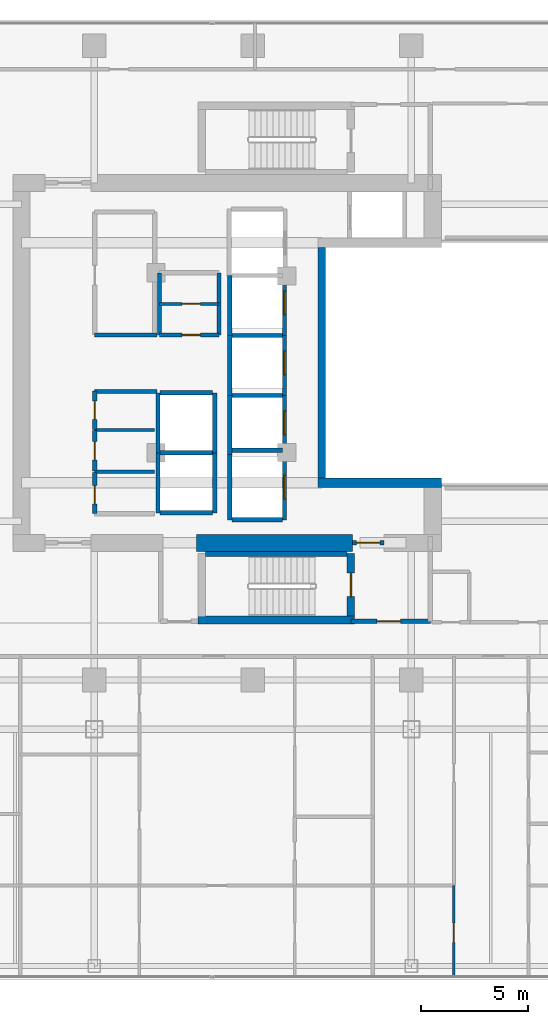
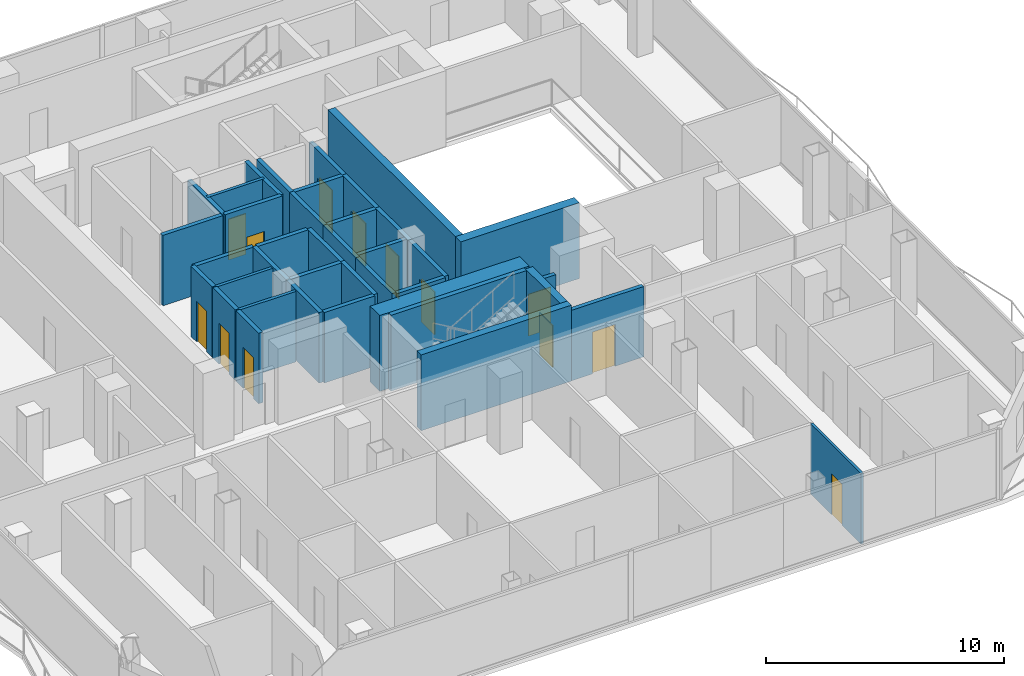
# One storey, part 18 of 24: 39 walls, 13 doors, 13 openings.
"""IFC4 building model written with IfcOpenShell, lengths in metres."""

from ifc_helpers import new_model, si_unit, direction, frame, frame_2d, origin, place, context, subcontext, project, spatial, rectangle, extrude, material, layer, layer_set, type_object, element, fill, save


model = new_model("IFC4")

# Units and contexts
model_context = context("Model", 3, precision=1e-05, world=origin(), true_north=direction((0.0, 1.0)))
body_context = subcontext(model_context, "Body", "Model", "MODEL_VIEW")
ifc_project = project(units=[si_unit("LENGTHUNIT", "METRE"), si_unit("AREAUNIT", "SQUARE_METRE"), si_unit("VOLUMEUNIT", "CUBIC_METRE"), si_unit("PLANEANGLEUNIT", "RADIAN"), si_unit("MASSUNIT", "GRAM", prefix="KILO")], contexts=[model_context])

# Site, building, storey
site_placement = place(None, origin())
site = spatial("IfcSite", under=ifc_project, at=site_placement, CompositionType="ELEMENT")
building_placement = place(site_placement, origin())
building = spatial("IfcBuilding", under=site, at=building_placement, Name="Khorvyn Point Tower", CompositionType="ELEMENT")
storey_placement = place(building_placement, frame((0.0, 0.0, 215.699951171875)))
storey = spatial("IfcBuildingStorey", under=building, at=storey_placement, Name="L53", CompositionType="ELEMENT", Elevation=215.699951171875)

# Wall
ifc_material_1 = material(Name="Concrete C40/50", Category="concrete")
ifc_layer_1 = layer(ifc_material_1, 0.449951171875)
ifc_layer_set_1 = layer_set([ifc_layer_1], Name="Concrete C40/50 Core Shear Wall 450")
wall_type_1 = type_object("IfcWallType", Name="Concrete C40/50 Core Shear Wall 450", PredefinedType="SHEAR", material=ifc_layer_set_1)
wall_1_placement = place(storey_placement, frame((3.044921875, -5.60009765625, 0.0), z_axis=(0.0, 0.0, 1.0), x_axis=(1.0, 0.0, 0.0)))
element("IfcWall", 1, at=wall_1_placement, inside=storey, type_object=wall_type_1, Name="Wall", PredefinedType="SHEAR", context=body_context, shape_type="SweptSolid", body=[
    extrude(rectangle(XDim=5.755126953125, YDim=0.449951171875, at=frame_2d((2.87744140625, 0.0))), origin(), (0.0, 0.0, 1.0), 3.900146484375),
])

# Wall, opening, door
ifc_layer_2 = layer(ifc_material_1, 0.199951171875)
ifc_layer_set_2 = layer_set([ifc_layer_2], Name="Concrete C40/50 Fire-Lobby Compartment Wall 200")
wall_type_2 = type_object("IfcWallType", Name="Concrete C40/50 Fire-Lobby Compartment Wall 200", PredefinedType="SOLIDWALL", material=ifc_layer_set_2)
wall_2_placement = place(storey_placement, frame((4.580078125, -12.06005859375, 0.0), z_axis=(0.0, 0.0, 1.0), x_axis=(1.0, 0.0, 0.0)))
wall_2 = element("IfcWall", 2, at=wall_2_placement, inside=storey, type_object=wall_type_2, Name="Wall", PredefinedType="SOLIDWALL", context=body_context, shape_type="SweptSolid", body=[
    extrude(rectangle(XDim=3.699951171875, YDim=0.199951171875, at=frame_2d((1.85009765625, 0.0))), origin(), (0.0, 0.0, 1.0), 3.6201171875),
])
opening_1_placement = place(wall_2_placement, frame((1.21240234375, 0.0, 0.0)))
opening_1 = element("IfcOpeningElement", 3, at=opening_1_placement, cuts=wall_2, Name="Opening ID-FL90", PredefinedType="OPENING", context=body_context, shape_type="SweptSolid", body=[
    extrude(rectangle(XDim=1.10009765625, YDim=2.14990234375, at=frame_2d((0.550048828125, 1.074951171875))), frame((0.0, 0.10986328125, 0.0), z_axis=(0.0, -1.0, 0.0), x_axis=(1.0, 0.0, 0.0)), (0.0, 0.0, 1.0), 0.219970703125),
])
ifc_material_2 = material(Name="Galvanised powder-coated steel", Category="steel")
door_type_1 = type_object("IfcDoorType", Name="Fire-Rated Steel Lobby and Stair Door 1100x2150", OperationType="NOTDEFINED", PredefinedType="DOOR", material=ifc_material_2)
door_1_placement = place(opening_1_placement, origin())
door_1 = element("IfcDoor", 4, at=door_1_placement, inside=storey, type_object=door_type_1, Name="Door", OperationType="SINGLE_SWING_LEFT", OverallHeight=2.14990234375, OverallWidth=1.10009765625, PredefinedType="DOOR", context=body_context, shape_type="SweptSolid", body=[
    extrude(rectangle(XDim=1.10009765625, YDim=2.14990234375, at=frame_2d((0.550048828125, 1.074951171875))), frame((0.0, 0.02490234375, 0.0), z_axis=(0.0, -1.0, 0.0), x_axis=(1.0, 0.0, 0.0)), (0.0, 0.0, 1.0), 0.050048828125),
])
fill(opening_1, door_1)

wall_3_placement = place(storey_placement, frame((4.64990234375, -8.39990234375, 0.0), z_axis=(0.0, 0.0, 1.0), x_axis=(1.0, 0.0, 0.0)))
wall_3 = element("IfcWall", 5, at=wall_3_placement, inside=storey, type_object=wall_type_2, Name="Wall", PredefinedType="SOLIDWALL", context=body_context, shape_type="SweptSolid", body=[
    extrude(rectangle(XDim=1.47021484375, YDim=0.199951171875, at=frame_2d((0.735107421875, 0.0))), origin(), (0.0, 0.0, 1.0), 2.760009765625),
])
opening_2_placement = place(wall_3_placement, frame((0.18505859375, 0.0, 0.0)))
opening_2 = element("IfcOpeningElement", 6, at=opening_2_placement, cuts=wall_3, Name="Opening ID-FL90", PredefinedType="OPENING", context=body_context, shape_type="SweptSolid", body=[
    extrude(rectangle(XDim=1.10009765625, YDim=2.14990234375, at=frame_2d((0.550048828125, 1.074951171875))), frame((0.0, 0.10986328125, 0.0), z_axis=(0.0, -1.0, 0.0), x_axis=(1.0, 0.0, 0.0)), (0.0, 0.0, 1.0), 0.219970703125),
])
door_2_placement = place(opening_2_placement, origin())
door_2 = element("IfcDoor", 7, at=door_2_placement, inside=storey, type_object=door_type_1, Name="Door", OperationType="SINGLE_SWING_RIGHT", OverallHeight=2.14990234375, OverallWidth=1.10009765625, PredefinedType="DOOR", context=body_context, shape_type="SweptSolid", body=[
    extrude(rectangle(XDim=1.10009765625, YDim=2.14990234375, at=frame_2d((0.550048828125, 1.074951171875))), frame((0.0, 0.02490234375, 0.0), z_axis=(0.0, -1.0, 0.0), x_axis=(1.0, 0.0, 0.0)), (0.0, 0.0, 1.0), 0.050048828125),
])
fill(opening_2, door_2)

wall_4_placement = place(storey_placement, frame((-7.3798828125, -7.0400390625, 0.0), z_axis=(0.0, 0.0, 1.0), x_axis=(0.0, 1.0, 0.0)))
wall_4 = element("IfcWall", 8, at=wall_4_placement, inside=storey, type_object=wall_type_2, Name="Wall", PredefinedType="SOLIDWALL", context=body_context, shape_type="SweptSolid", body=[
    extrude(rectangle(XDim=1.929931640625, YDim=0.199951171875, at=frame_2d((0.96484375, 0.0))), origin(), (0.0, 0.0, 1.0), 3.6201171875),
])
opening_3_placement = place(wall_4_placement, frame((0.464111328125, 0.0, 0.0)))
opening_3 = element("IfcOpeningElement", 9, at=opening_3_placement, cuts=wall_4, Name="Opening ID-WC85", PredefinedType="OPENING", context=body_context, shape_type="SweptSolid", body=[
    extrude(rectangle(XDim=0.85009765625, YDim=2.10009765625, at=frame_2d((0.425048828125, 1.050048828125))), frame((0.0, 0.10986328125, 0.0), z_axis=(0.0, -1.0, 0.0), x_axis=(1.0, 0.0, 0.0)), (0.0, 0.0, 1.0), 0.219970703125),
])
ifc_material_3 = material(Name="High-pressure laminate on moisture-resistant core", Category="wood")
door_type_2 = type_object("IfcDoorType", Name="Moisture-Resistant Accessible Washroom Door 850x2100", OperationType="NOTDEFINED", PredefinedType="DOOR", material=ifc_material_3)
door_3_placement = place(opening_3_placement, origin())
door_3 = element("IfcDoor", 10, at=door_3_placement, inside=storey, type_object=door_type_2, Name="Door", OperationType="SINGLE_SWING_LEFT", OverallHeight=2.10009765625, OverallWidth=0.85009765625, PredefinedType="DOOR", context=body_context, shape_type="SweptSolid", body=[
    extrude(rectangle(XDim=0.85009765625, YDim=2.10009765625, at=frame_2d((0.425048828125, 1.050048828125))), frame((0.0, 0.02490234375, 0.0), z_axis=(0.0, -1.0, 0.0), x_axis=(1.0, 0.0, 0.0)), (0.0, 0.0, 1.0), 0.050048828125),
])
fill(opening_3, door_3)

wall_5_placement = place(storey_placement, frame((-7.3798828125, -5.050048828125, 0.0), z_axis=(0.0, 0.0, 1.0), x_axis=(0.0, 1.0, 0.0)))
wall_5 = element("IfcWall", 11, at=wall_5_placement, inside=storey, type_object=wall_type_2, Name="Wall", PredefinedType="SOLIDWALL", context=body_context, shape_type="SweptSolid", body=[
    extrude(rectangle(XDim=1.89013671875, YDim=0.199951171875, at=frame_2d((0.945068359375, 0.0))), origin(), (0.0, 0.0, 1.0), 3.6201171875),
])
opening_4_placement = place(wall_5_placement, frame((0.52001953125, 0.0, 0.0)))
opening_4 = element("IfcOpeningElement", 12, at=opening_4_placement, cuts=wall_5, Name="Opening ID-WC85", PredefinedType="OPENING", context=body_context, shape_type="SweptSolid", body=[
    extrude(rectangle(XDim=0.85009765625, YDim=2.10009765625, at=frame_2d((0.425048828125, 1.050048828125))), frame((0.0, 0.10986328125, 0.0), z_axis=(0.0, -1.0, 0.0), x_axis=(1.0, 0.0, 0.0)), (0.0, 0.0, 1.0), 0.219970703125),
])
door_4_placement = place(opening_4_placement, origin())
door_4 = element("IfcDoor", 13, at=door_4_placement, inside=storey, type_object=door_type_2, Name="Door", OperationType="SINGLE_SWING_RIGHT", OverallHeight=2.10009765625, OverallWidth=0.85009765625, PredefinedType="DOOR", context=body_context, shape_type="SweptSolid", body=[
    extrude(rectangle(XDim=0.85009765625, YDim=2.10009765625, at=frame_2d((0.425048828125, 1.050048828125))), frame((0.0, 0.02490234375, 0.0), z_axis=(0.0, -1.0, 0.0), x_axis=(1.0, 0.0, 0.0)), (0.0, 0.0, 1.0), 0.050048828125),
])
fill(opening_4, door_4)

wall_6_placement = place(storey_placement, frame((-7.3798828125, -3.10009765625, 0.0), z_axis=(0.0, 0.0, 1.0), x_axis=(0.0, 1.0, 0.0)))
wall_6 = element("IfcWall", 14, at=wall_6_placement, inside=storey, type_object=wall_type_2, Name="Wall", PredefinedType="SOLIDWALL", context=body_context, shape_type="SweptSolid", body=[
    extrude(rectangle(XDim=1.780029296875, YDim=0.199951171875, at=frame_2d((0.89013671875, 0.0))), origin(), (0.0, 0.0, 1.0), 3.6201171875),
])
opening_5_placement = place(wall_6_placement, frame((0.465087890625, 0.0, 0.0)))
opening_5 = element("IfcOpeningElement", 15, at=opening_5_placement, cuts=wall_6, Name="Opening ID-WC85", PredefinedType="OPENING", context=body_context, shape_type="SweptSolid", body=[
    extrude(rectangle(XDim=0.85009765625, YDim=2.10009765625, at=frame_2d((0.425048828125, 1.050048828125))), frame((0.0, 0.10986328125, 0.0), z_axis=(0.0, -1.0, 0.0), x_axis=(1.0, 0.0, 0.0)), (0.0, 0.0, 1.0), 0.219970703125),
])
door_5_placement = place(opening_5_placement, origin())
door_5 = element("IfcDoor", 16, at=door_5_placement, inside=storey, type_object=door_type_2, Name="Door", OperationType="SINGLE_SWING_LEFT", OverallHeight=2.10009765625, OverallWidth=0.85009765625, PredefinedType="DOOR", context=body_context, shape_type="SweptSolid", body=[
    extrude(rectangle(XDim=0.85009765625, YDim=2.10009765625, at=frame_2d((0.425048828125, 1.050048828125))), frame((0.0, 0.02490234375, 0.0), z_axis=(0.0, -1.0, 0.0), x_axis=(1.0, 0.0, 0.0)), (0.0, 0.0, 1.0), 0.050048828125),
])
fill(opening_5, door_5)

wall_7_placement = place(storey_placement, frame((-4.35009765625, 1.300048828125, 0.0), z_axis=(0.0, 0.0, 1.0), x_axis=(1.0, 0.0, 0.0)))
wall_7 = element("IfcWall", 17, at=wall_7_placement, inside=storey, type_object=wall_type_2, Name="Wall", PredefinedType="SOLIDWALL", context=body_context, shape_type="SweptSolid", body=[
    extrude(rectangle(XDim=2.77001953125, YDim=0.199951171875, at=frame_2d((1.385009765625, 0.0))), origin(), (0.0, 0.0, 1.0), 3.6201171875),
])
opening_6_placement = place(wall_7_placement, frame((1.048828125, 0.0, 0.0)))
opening_6 = element("IfcOpeningElement", 18, at=opening_6_placement, cuts=wall_7, Name="Opening ID-WC85", PredefinedType="OPENING", context=body_context, shape_type="SweptSolid", body=[
    extrude(rectangle(XDim=0.85009765625, YDim=2.10009765625, at=frame_2d((0.425048828125, 1.050048828125))), frame((0.0, 0.10986328125, 0.0), z_axis=(0.0, -1.0, 0.0), x_axis=(1.0, 0.0, 0.0)), (0.0, 0.0, 1.0), 0.219970703125),
])
door_6_placement = place(opening_6_placement, origin())
door_6 = element("IfcDoor", 19, at=door_6_placement, inside=storey, type_object=door_type_2, Name="Door", OperationType="SINGLE_SWING_LEFT", OverallHeight=2.10009765625, OverallWidth=0.85009765625, PredefinedType="DOOR", context=body_context, shape_type="SweptSolid", body=[
    extrude(rectangle(XDim=0.85009765625, YDim=2.10009765625, at=frame_2d((0.425048828125, 1.050048828125))), frame((0.0, 0.02490234375, 0.0), z_axis=(0.0, -1.0, 0.0), x_axis=(1.0, 0.0, 0.0)), (0.0, 0.0, 1.0), 0.050048828125),
])
fill(opening_6, door_6)

# Walls
for number, where, z_axis, x_axis, name in (
    (20, (-7.3798828125, -1.340087890625, 0.0), (0.0, 0.0, 1.0), (1.0, 0.0, 0.0), "Wall"),
    (21, (-7.3798828125, 1.300048828125, 0.0), (0.0, 0.0, 1.0), (1.0, 0.0, 0.0), "Wall"),
):
    element("IfcWall", number, at=place(storey_placement, frame(where, z_axis=z_axis, x_axis=x_axis)), inside=storey, type_object=wall_type_2, Name=name, PredefinedType="SOLIDWALL", context=body_context, shape_type="SweptSolid", body=[
        extrude(rectangle(XDim=2.909912109375, YDim=0.199951171875, at=frame_2d((1.455078125, 0.0))), origin(), (0.0, 0.0, 1.0), 3.6201171875),
    ])
for number, where, z_axis, x_axis, name in (
    (22, (-4.35009765625, 1.300048828125, 0.0), (0.0, 0.0, 1.0), (0.0, 1.0, 0.0), "Wall"),
    (23, (-1.580078125, 1.300048828125, 0.0), (0.0, 0.0, 1.0), (0.0, 1.0, 0.0), "Wall"),
):
    element("IfcWall", number, at=place(storey_placement, frame(where, z_axis=z_axis, x_axis=x_axis)), inside=storey, type_object=wall_type_2, Name=name, PredefinedType="SOLIDWALL", context=body_context, shape_type="SweptSolid", body=[
        extrude(rectangle(XDim=2.89990234375, YDim=0.199951171875, at=frame_2d((1.449951171875, 0.0))), origin(), (0.0, 0.0, 1.0), 3.6201171875),
    ])
ifc_layer_3 = layer(ifc_material_1, 0.25)
ifc_layer_set_3 = layer_set([ifc_layer_3], Name="Concrete C40/50 Stair Inner Cheek Structural Wall 250")
wall_type_3 = type_object("IfcWallType", Name="Concrete C40/50 Stair Inner Cheek Structural Wall 250", PredefinedType="SHEAR", material=ifc_layer_set_3)
wall_8_placement = place(storey_placement, frame((-2.199951171875, -8.91259765625, 0.0), z_axis=(0.0, 0.0, 1.0), x_axis=(1.0, 0.0, 0.0)))
element("IfcWall", 24, at=wall_8_placement, inside=storey, type_object=wall_type_3, Name="Wall", PredefinedType="SHEAR", context=body_context, shape_type="SweptSolid", body=[
    extrude(rectangle(XDim=6.599853515625, YDim=0.22509765625, at=frame_2d((3.2998046875, 0.0))), origin(), (0.0, 0.0, 1.0), 3.900146484375),
])
ifc_layer_4 = layer(ifc_material_1, 0.35009765625)
ifc_layer_set_4 = layer_set([ifc_layer_4], Name="Concrete C40/50 Stair Shaft Structural Wall 350")
wall_type_4 = type_object("IfcWallType", Name="Concrete C40/50 Stair Shaft Structural Wall 350", PredefinedType="SHEAR", material=ifc_layer_set_4)
wall_9_placement = place(storey_placement, frame((3.219970703125, -5.375, 0.0), z_axis=(0.0, 0.0, 1.0), x_axis=(0.0, 1.0, 0.0)))
element("IfcWall", 25, at=wall_9_placement, inside=storey, type_object=wall_type_4, Name="Wall", PredefinedType="SHEAR", context=body_context, shape_type="SweptSolid", body=[
    extrude(rectangle(XDim=10.75, YDim=0.35009765625, at=frame_2d((5.375, 0.0))), origin(), (0.0, 0.0, 1.0), 3.900146484375),
])
wall_10_placement = place(storey_placement, frame((-2.554931640625, -12.0, 0.0), z_axis=(0.0, 0.0, 1.0), x_axis=(1.0, 0.0, 0.0)))
element("IfcWall", 26, at=wall_10_placement, inside=storey, type_object=wall_type_4, Name="L53 ST-01 South Shaft Wall", PredefinedType="SHEAR", context=body_context, shape_type="SweptSolid", body=[
    extrude(rectangle(XDim=7.309814453125, YDim=0.35009765625, at=frame_2d((3.65478515625, 0.0))), origin(), (0.0, 0.0, 1.0), 3.900146484375),
])

# Wall, opening, door
wall_11_placement = place(storey_placement, frame((4.580078125, -8.89990234375, 0.0), z_axis=(0.0, 0.0, 1.0), x_axis=(0.0, -1.0, 0.0)))
wall_11 = element("IfcWall", 27, at=wall_11_placement, inside=storey, type_object=wall_type_4, Name="L53 ST-01 East Landing Door Wall", PredefinedType="SHEAR", context=body_context, shape_type="SweptSolid", body=[
    extrude(rectangle(XDim=2.925048828125, YDim=0.35009765625, at=frame_2d((1.46240234375, 0.0))), origin(), (0.0, 0.0, 1.0), 3.900146484375),
])
opening_7_placement = place(wall_11_placement, frame((0.91259765625, 0.0, 0.0)))
opening_7 = element("IfcOpeningElement", 28, at=opening_7_placement, cuts=wall_11, Name="Opening ID-FL90", PredefinedType="OPENING", context=body_context, shape_type="SweptSolid", body=[
    extrude(rectangle(XDim=1.10009765625, YDim=2.14990234375, at=frame_2d((0.550048828125, 1.074951171875))), frame((0.0, 0.18505859375, 0.0), z_axis=(0.0, -1.0, 0.0), x_axis=(1.0, 0.0, 0.0)), (0.0, 0.0, 1.0), 0.3701171875),
])
door_7_placement = place(opening_7_placement, origin())
door_7 = element("IfcDoor", 29, at=door_7_placement, inside=storey, type_object=door_type_1, Name="L53 ST-01 Smokeproof Landing Door", OperationType="SINGLE_SWING_LEFT", OverallHeight=2.14990234375, OverallWidth=1.10009765625, PredefinedType="DOOR", context=body_context, shape_type="SweptSolid", body=[
    extrude(rectangle(XDim=1.10009765625, YDim=2.14990234375, at=frame_2d((0.550048828125, 1.074951171875))), frame((0.0, 0.02490234375, 0.0), z_axis=(0.0, -1.0, 0.0), x_axis=(1.0, 0.0, 0.0)), (0.0, 0.0, 1.0), 0.050048828125),
])
fill(opening_7, door_7)

# Walls
ifc_layer_5 = layer(ifc_material_1, 0.199951171875)
ifc_layer_set_5 = layer_set([ifc_layer_5], Name="Concrete C40/50 Structural Hoistway and Stair Shaft Wall 200")
wall_type_5 = type_object("IfcWallType", Name="Concrete C40/50 Structural Hoistway and Stair Shaft Wall 200", PredefinedType="SHEAR", material=ifc_layer_set_5)
for number, where, z_axis, x_axis, name in (
    (30, (-4.425048828125, -7.0, 0.0), (0.0, 0.0, 1.0), (0.0, 1.0, 0.0), "Wall"),
    (31, (-1.77490234375, -7.0, 0.0), (0.0, 0.0, 1.0), (0.0, 1.0, 0.0), "Wall"),
):
    element("IfcWall", number, at=place(storey_placement, frame(where, z_axis=z_axis, x_axis=x_axis)), inside=storey, type_object=wall_type_5, Name=name, PredefinedType="SHEAR", context=body_context, shape_type="SweptSolid", body=[
        extrude(rectangle(XDim=2.800048828125, YDim=0.199951171875, at=frame_2d((1.39990234375, 0.0))), origin(), (0.0, 0.0, 1.0), 3.6201171875),
    ])
for number, where, z_axis, x_axis, name in (
    (32, (-4.324951171875, -7.0, 0.0), (0.0, 0.0, 1.0), (1.0, 0.0, 0.0), "Wall"),
    (33, (-4.324951171875, -4.199951171875, 0.0), (0.0, 0.0, 1.0), (1.0, 0.0, 0.0), "Wall"),
):
    element("IfcWall", number, at=place(storey_placement, frame(where, z_axis=z_axis, x_axis=x_axis)), inside=storey, type_object=wall_type_5, Name=name, PredefinedType="SHEAR", context=body_context, shape_type="SweptSolid", body=[
        extrude(rectangle(XDim=2.449951171875, YDim=0.199951171875, at=frame_2d((1.22509765625, 0.0))), origin(), (0.0, 0.0, 1.0), 3.6201171875),
    ])
for number, where, z_axis, x_axis, name in (
    (34, (-4.425048828125, -4.199951171875, 0.0), (0.0, 0.0, 1.0), (0.0, 1.0, 0.0), "Wall"),
    (35, (-1.77490234375, -4.199951171875, 0.0), (0.0, 0.0, 1.0), (0.0, 1.0, 0.0), "Wall"),
):
    element("IfcWall", number, at=place(storey_placement, frame(where, z_axis=z_axis, x_axis=x_axis)), inside=storey, type_object=wall_type_5, Name=name, PredefinedType="SHEAR", context=body_context, shape_type="SweptSolid", body=[
        extrude(rectangle(XDim=2.800048828125, YDim=0.199951171875, at=frame_2d((1.39990234375, 0.0))), origin(), (0.0, 0.0, 1.0), 3.6201171875),
    ])
wall_12_placement = place(storey_placement, frame((-4.324951171875, -1.39990234375, 0.0), z_axis=(0.0, 0.0, 1.0), x_axis=(1.0, 0.0, 0.0)))
element("IfcWall", 36, at=wall_12_placement, inside=storey, type_object=wall_type_5, Name="Wall", PredefinedType="SHEAR", context=body_context, shape_type="SweptSolid", body=[
    extrude(rectangle(XDim=2.449951171875, YDim=0.199951171875, at=frame_2d((1.22509765625, 0.0))), origin(), (0.0, 0.0, 1.0), 3.6201171875),
])
wall_13_placement = place(storey_placement, frame((-1.074951171875, -4.27490234375, 0.0), z_axis=(0.0, 0.0, 1.0), x_axis=(0.0, 1.0, 0.0)))
element("IfcWall", 37, at=wall_13_placement, inside=storey, type_object=wall_type_5, Name="Wall", PredefinedType="SHEAR", context=body_context, shape_type="SweptSolid", body=[
    extrude(rectangle(XDim=2.75, YDim=0.199951171875, at=frame_2d((1.375, 0.0))), origin(), (0.0, 0.0, 1.0), 3.6201171875),
])

# Wall, opening, door
wall_14_placement = place(storey_placement, frame((1.47509765625, -4.27490234375, 0.0), z_axis=(0.0, 0.0, 1.0), x_axis=(0.0, 1.0, 0.0)))
wall_14 = element("IfcWall", 38, at=wall_14_placement, inside=storey, type_object=wall_type_5, Name="Wall", PredefinedType="SHEAR", context=body_context, shape_type="SweptSolid", body=[
    extrude(rectangle(XDim=2.75, YDim=0.199951171875, at=frame_2d((1.375, 0.0))), origin(), (0.0, 0.0, 1.0), 3.6201171875),
])
opening_8_placement = place(wall_14_placement, frame((0.925048828125, 0.0, 0.0)))
opening_8 = element("IfcOpeningElement", 39, at=opening_8_placement, cuts=wall_14, Name="Opening LD-1122", PredefinedType="OPENING", context=body_context, shape_type="SweptSolid", body=[
    extrude(rectangle(XDim=1.10009765625, YDim=2.199951171875, at=frame_2d((0.550048828125, 1.10009765625))), frame((0.0, 0.10986328125, 0.0), z_axis=(0.0, -1.0, 0.0), x_axis=(1.0, 0.0, 0.0)), (0.0, 0.0, 1.0), 0.219970703125),
])
ifc_material_4 = material(Name="Stainless steel 1.4301", Category="steel")
door_type_3 = type_object("IfcDoorType", Name="Stainless Steel Automatic Sliding Lift Landing Door 1100x2200", OperationType="SLIDING_TO_LEFT", PredefinedType="DOOR", material=ifc_material_4)
door_8_placement = place(opening_8_placement, origin())
door_8 = element("IfcDoor", 40, at=door_8_placement, inside=storey, type_object=door_type_3, Name="L53 RH-01 Sliding Lift Landing Door", OperationType="SLIDING_TO_LEFT", OverallHeight=2.199951171875, OverallWidth=1.10009765625, PredefinedType="DOOR", context=body_context, shape_type="SweptSolid", body=[
    extrude(rectangle(XDim=1.10009765625, YDim=2.199951171875, at=frame_2d((0.550048828125, 1.10009765625))), frame((0.0, 0.02490234375, 0.0), z_axis=(0.0, -1.0, 0.0), x_axis=(1.0, 0.0, 0.0)), (0.0, 0.0, 1.0), 0.050048828125),
])
fill(opening_8, door_8)

# Walls
for number, where, z_axis, x_axis, name in (
    (41, (-0.97509765625, -4.074951171875, 0.0), (0.0, 0.0, 1.0), (1.0, 0.0, 0.0), "Wall"),
    (42, (-0.97509765625, -1.52490234375, 0.0), (0.0, 0.0, 1.0), (1.0, 0.0, 0.0), "Wall"),
):
    element("IfcWall", number, at=place(storey_placement, frame(where, z_axis=z_axis, x_axis=x_axis)), inside=storey, type_object=wall_type_5, Name=name, PredefinedType="SHEAR", context=body_context, shape_type="SweptSolid", body=[
        extrude(rectangle(XDim=2.35009765625, YDim=0.199951171875, at=frame_2d((1.175048828125, 0.0))), origin(), (0.0, 0.0, 1.0), 3.6201171875),
    ])
wall_15_placement = place(storey_placement, frame((-1.074951171875, -1.52490234375, 0.0), z_axis=(0.0, 0.0, 1.0), x_axis=(0.0, 1.0, 0.0)))
element("IfcWall", 43, at=wall_15_placement, inside=storey, type_object=wall_type_5, Name="Wall", PredefinedType="SHEAR", context=body_context, shape_type="SweptSolid", body=[
    extrude(rectangle(XDim=2.7998046875, YDim=0.199951171875, at=frame_2d((1.39990234375, 0.0))), origin(), (0.0, 0.0, 1.0), 3.6201171875),
])

# Wall, opening, door
wall_16_placement = place(storey_placement, frame((1.47509765625, -1.52490234375, 0.0), z_axis=(0.0, 0.0, 1.0), x_axis=(0.0, 1.0, 0.0)))
wall_16 = element("IfcWall", 44, at=wall_16_placement, inside=storey, type_object=wall_type_5, Name="Wall", PredefinedType="SHEAR", context=body_context, shape_type="SweptSolid", body=[
    extrude(rectangle(XDim=2.7998046875, YDim=0.199951171875, at=frame_2d((1.39990234375, 0.0))), origin(), (0.0, 0.0, 1.0), 3.6201171875),
])
opening_9_placement = place(wall_16_placement, frame((0.97509765625, 0.0, 0.0)))
opening_9 = element("IfcOpeningElement", 45, at=opening_9_placement, cuts=wall_16, Name="Opening LD-1122", PredefinedType="OPENING", context=body_context, shape_type="SweptSolid", body=[
    extrude(rectangle(XDim=1.10009765625, YDim=2.199951171875, at=frame_2d((0.550048828125, 1.10009765625))), frame((0.0, 0.10986328125, 0.0), z_axis=(0.0, -1.0, 0.0), x_axis=(1.0, 0.0, 0.0)), (0.0, 0.0, 1.0), 0.219970703125),
])
door_9_placement = place(opening_9_placement, origin())
door_9 = element("IfcDoor", 46, at=door_9_placement, inside=storey, type_object=door_type_3, Name="L53 RH-02 Sliding Lift Landing Door", OperationType="SLIDING_TO_LEFT", OverallHeight=2.199951171875, OverallWidth=1.10009765625, PredefinedType="DOOR", context=body_context, shape_type="SweptSolid", body=[
    extrude(rectangle(XDim=1.10009765625, YDim=2.199951171875, at=frame_2d((0.550048828125, 1.10009765625))), frame((0.0, 0.02490234375, 0.0), z_axis=(0.0, -1.0, 0.0), x_axis=(1.0, 0.0, 0.0)), (0.0, 0.0, 1.0), 0.050048828125),
])
fill(opening_9, door_9)

# Walls
wall_17_placement = place(storey_placement, frame((-0.97509765625, 1.27490234375, 0.0), z_axis=(0.0, 0.0, 1.0), x_axis=(1.0, 0.0, 0.0)))
element("IfcWall", 47, at=wall_17_placement, inside=storey, type_object=wall_type_5, Name="Wall", PredefinedType="SHEAR", context=body_context, shape_type="SweptSolid", body=[
    extrude(rectangle(XDim=2.35009765625, YDim=0.199951171875, at=frame_2d((1.175048828125, 0.0))), origin(), (0.0, 0.0, 1.0), 3.6201171875),
])
wall_18_placement = place(storey_placement, frame((-1.074951171875, 1.27490234375, 0.0), z_axis=(0.0, 0.0, 1.0), x_axis=(0.0, 1.0, 0.0)))
element("IfcWall", 48, at=wall_18_placement, inside=storey, type_object=wall_type_5, Name="Wall", PredefinedType="SHEAR", context=body_context, shape_type="SweptSolid", body=[
    extrude(rectangle(XDim=2.800048828125, YDim=0.199951171875, at=frame_2d((1.39990234375, 0.0))), origin(), (0.0, 0.0, 1.0), 3.6201171875),
])

# Wall, opening, door
wall_19_placement = place(storey_placement, frame((1.47509765625, 1.27490234375, 0.0), z_axis=(0.0, 0.0, 1.0), x_axis=(0.0, 1.0, 0.0)))
wall_19 = element("IfcWall", 49, at=wall_19_placement, inside=storey, type_object=wall_type_5, Name="Wall", PredefinedType="SHEAR", context=body_context, shape_type="SweptSolid", body=[
    extrude(rectangle(XDim=2.800048828125, YDim=0.199951171875, at=frame_2d((1.39990234375, 0.0))), origin(), (0.0, 0.0, 1.0), 3.6201171875),
])
opening_10_placement = place(wall_19_placement, frame((0.97509765625, 0.0, 0.0)))
opening_10 = element("IfcOpeningElement", 50, at=opening_10_placement, cuts=wall_19, Name="Opening LD-1122", PredefinedType="OPENING", context=body_context, shape_type="SweptSolid", body=[
    extrude(rectangle(XDim=1.10009765625, YDim=2.199951171875, at=frame_2d((0.550048828125, 1.10009765625))), frame((0.0, 0.10986328125, 0.0), z_axis=(0.0, -1.0, 0.0), x_axis=(1.0, 0.0, 0.0)), (0.0, 0.0, 1.0), 0.219970703125),
])
door_10_placement = place(opening_10_placement, origin())
door_10 = element("IfcDoor", 51, at=door_10_placement, inside=storey, type_object=door_type_3, Name="L53 RH-03 Sliding Lift Landing Door", OperationType="SLIDING_TO_LEFT", OverallHeight=2.199951171875, OverallWidth=1.10009765625, PredefinedType="DOOR", context=body_context, shape_type="SweptSolid", body=[
    extrude(rectangle(XDim=1.10009765625, YDim=2.199951171875, at=frame_2d((0.550048828125, 1.10009765625))), frame((0.0, 0.02490234375, 0.0), z_axis=(0.0, -1.0, 0.0), x_axis=(1.0, 0.0, 0.0)), (0.0, 0.0, 1.0), 0.050048828125),
])
fill(opening_10, door_10)

# Wall
wall_20_placement = place(storey_placement, frame((-1.074951171875, -7.324951171875, 0.0), z_axis=(0.0, 0.0, 1.0), x_axis=(0.0, 1.0, 0.0)))
element("IfcWall", 52, at=wall_20_placement, inside=storey, type_object=wall_type_5, Name="Wall", PredefinedType="SHEAR", context=body_context, shape_type="SweptSolid", body=[
    extrude(rectangle(XDim=3.050048828125, YDim=0.199951171875, at=frame_2d((1.52490234375, 0.0))), origin(), (0.0, 0.0, 1.0), 3.6201171875),
])

# Wall, opening, door
wall_21_placement = place(storey_placement, frame((1.47509765625, -7.324951171875, 0.0), z_axis=(0.0, 0.0, 1.0), x_axis=(0.0, 1.0, 0.0)))
wall_21 = element("IfcWall", 53, at=wall_21_placement, inside=storey, type_object=wall_type_5, Name="Wall", PredefinedType="SHEAR", context=body_context, shape_type="SweptSolid", body=[
    extrude(rectangle(XDim=3.050048828125, YDim=0.199951171875, at=frame_2d((1.52490234375, 0.0))), origin(), (0.0, 0.0, 1.0), 3.6201171875),
])
opening_11_placement = place(wall_21_placement, frame((0.97509765625, 0.0, 0.0)))
opening_11 = element("IfcOpeningElement", 54, at=opening_11_placement, cuts=wall_21, Name="Opening LD-1122", PredefinedType="OPENING", context=body_context, shape_type="SweptSolid", body=[
    extrude(rectangle(XDim=1.10009765625, YDim=2.199951171875, at=frame_2d((0.550048828125, 1.10009765625))), frame((0.0, 0.10986328125, 0.0), z_axis=(0.0, -1.0, 0.0), x_axis=(1.0, 0.0, 0.0)), (0.0, 0.0, 1.0), 0.219970703125),
])
door_11_placement = place(opening_11_placement, origin())
door_11 = element("IfcDoor", 55, at=door_11_placement, inside=storey, type_object=door_type_3, Name="L53 FF-01 Sliding Lift Landing Door", OperationType="SLIDING_TO_LEFT", OverallHeight=2.199951171875, OverallWidth=1.10009765625, PredefinedType="DOOR", context=body_context, shape_type="SweptSolid", body=[
    extrude(rectangle(XDim=1.10009765625, YDim=2.199951171875, at=frame_2d((0.550048828125, 1.10009765625))), frame((0.0, 0.02490234375, 0.0), z_axis=(0.0, -1.0, 0.0), x_axis=(1.0, 0.0, 0.0)), (0.0, 0.0, 1.0), 0.050048828125),
])
fill(opening_11, door_11)

# Walls
wall_22_placement = place(storey_placement, frame((-0.97509765625, -7.324951171875, 0.0), z_axis=(0.0, 0.0, 1.0), x_axis=(1.0, 0.0, 0.0)))
element("IfcWall", 56, at=wall_22_placement, inside=storey, type_object=wall_type_5, Name="Wall", PredefinedType="SHEAR", context=body_context, shape_type="SweptSolid", body=[
    extrude(rectangle(XDim=2.35009765625, YDim=0.199951171875, at=frame_2d((1.175048828125, 0.0))), origin(), (0.0, 0.0, 1.0), 3.6201171875),
])
ifc_material_5 = material(Name="Concrete C45/55", Category="concrete")
ifc_layer_6 = layer(ifc_material_5, 0.800048828125)
ifc_layer_set_6 = layer_set([ifc_layer_6], Name="Concrete C45/55 Core Shear Wall 800")
wall_type_6 = type_object("IfcWallType", Name="Concrete C45/55 Core Shear Wall 800", PredefinedType="SHEAR", material=ifc_layer_set_6)
wall_23_placement = place(storey_placement, frame((-2.6201171875, -8.39990234375, 0.0), z_axis=(0.0, 0.0, 1.0), x_axis=(1.0, 0.0, 0.0)))
element("IfcWall", 57, at=wall_23_placement, inside=storey, type_object=wall_type_6, Name="Wall", PredefinedType="SHEAR", context=body_context, shape_type="SweptSolid", body=[
    extrude(rectangle(XDim=7.27001953125, YDim=0.800048828125, at=frame_2d((3.635009765625, 0.0))), origin(), (0.0, 0.0, 1.0), 3.900146484375),
])

# Wall, opening, door
ifc_material_6 = material(Name="Gypsum plasterboard on steel stud", Category="steel")
ifc_layer_7 = layer(ifc_material_6, 0.1201171875)
ifc_layer_set_7 = layer_set([ifc_layer_7], Name="Gypsum Acoustic Stud Room Partition Wall 120")
wall_type_7 = type_object("IfcWallType", Name="Gypsum Acoustic Stud Room Partition Wall 120", PredefinedType="PARTITIONING", material=ifc_layer_set_7)
wall_24_placement = place(storey_placement, frame((9.385986328125, -28.6298828125, 0.0), z_axis=(0.0, 0.0, 1.0), x_axis=(0.0, 1.0, 0.0)))
wall_24 = element("IfcWall", 58, at=wall_24_placement, inside=storey, type_object=wall_type_7, Name="Wall", PredefinedType="PARTITIONING", context=body_context, shape_type="SweptSolid", body=[
    extrude(rectangle(XDim=4.239990234375, YDim=0.1201171875, at=frame_2d((2.1201171875, 0.0))), origin(), (0.0, 0.0, 1.0), 3.6201171875),
])
opening_12_placement = place(wall_24_placement, frame((1.581298828125, 0.0, 0.0)))
opening_12 = element("IfcOpeningElement", 59, at=opening_12_placement, cuts=wall_24, Name="Opening ID-RM90", PredefinedType="OPENING", context=body_context, shape_type="SweptSolid", body=[
    extrude(rectangle(XDim=0.89990234375, YDim=2.10009765625, at=frame_2d((0.449951171875, 1.050048828125))), frame((0.0, 0.070068359375, 0.0), z_axis=(0.0, -1.0, 0.0), x_axis=(1.0, 0.0, 0.0)), (0.0, 0.0, 1.0), 0.14013671875),
])
ifc_material_7 = material(Name="Engineered oak veneer timber", Category="wood")
door_type_4 = type_object("IfcDoorType", Name="Flush Engineered Timber Room Door 900x2100", OperationType="NOTDEFINED", PredefinedType="DOOR", material=ifc_material_7)
door_12_placement = place(opening_12_placement, origin())
door_12 = element("IfcDoor", 60, at=door_12_placement, inside=storey, type_object=door_type_4, Name="Door", OperationType="SINGLE_SWING_LEFT", OverallHeight=2.10009765625, OverallWidth=0.89990234375, PredefinedType="DOOR", context=body_context, shape_type="SweptSolid", body=[
    extrude(rectangle(XDim=0.89990234375, YDim=2.10009765625, at=frame_2d((0.449951171875, 1.050048828125))), frame((0.0, 0.02490234375, 0.0), z_axis=(0.0, -1.0, 0.0), x_axis=(1.0, 0.0, 0.0)), (0.0, 0.0, 1.0), 0.050048828125),
])
fill(opening_12, door_12)

ifc_material_8 = material(Name="Moisture-resistant gypsum and cement board", Category="gypsum")
ifc_layer_8 = layer(ifc_material_8, 0.14990234375)
ifc_layer_set_8 = layer_set([ifc_layer_8], Name="Moisture-Resistant Wet-Room Partition Wall 150")
wall_type_8 = type_object("IfcWallType", Name="Moisture-Resistant Wet-Room Partition Wall 150", PredefinedType="PARTITIONING", material=ifc_layer_set_8)
wall_25_placement = place(storey_placement, frame((-4.35009765625, 2.75, 0.0), z_axis=(0.0, 0.0, 1.0), x_axis=(1.0, 0.0, 0.0)))
wall_25 = element("IfcWall", 61, at=wall_25_placement, inside=storey, type_object=wall_type_8, Name="Wall", PredefinedType="PARTITIONING", context=body_context, shape_type="SweptSolid", body=[
    extrude(rectangle(XDim=2.77001953125, YDim=0.14990234375, at=frame_2d((1.385009765625, 0.0))), origin(), (0.0, 0.0, 1.0), 3.6201171875),
])
opening_13_placement = place(wall_25_placement, frame((1.048828125, 0.0, 0.0)))
opening_13 = element("IfcOpeningElement", 62, at=opening_13_placement, cuts=wall_25, Name="Opening ID-WC85", PredefinedType="OPENING", context=body_context, shape_type="SweptSolid", body=[
    extrude(rectangle(XDim=0.85009765625, YDim=2.10009765625, at=frame_2d((0.425048828125, 1.050048828125))), frame((0.0, 0.0849609375, 0.0), z_axis=(0.0, -1.0, 0.0), x_axis=(1.0, 0.0, 0.0)), (0.0, 0.0, 1.0), 0.169921875),
])
door_13_placement = place(opening_13_placement, origin())
door_13 = element("IfcDoor", 63, at=door_13_placement, inside=storey, type_object=door_type_2, Name="Door", OperationType="SINGLE_SWING_RIGHT", OverallHeight=2.10009765625, OverallWidth=0.85009765625, PredefinedType="DOOR", context=body_context, shape_type="SweptSolid", body=[
    extrude(rectangle(XDim=0.85009765625, YDim=2.10009765625, at=frame_2d((0.425048828125, 1.050048828125))), frame((0.0, 0.02490234375, 0.0), z_axis=(0.0, -1.0, 0.0), x_axis=(1.0, 0.0, 0.0)), (0.0, 0.0, 1.0), 0.050048828125),
])
fill(opening_13, door_13)

# Walls
for number, where, z_axis, x_axis, name in (
    (64, (-7.3798828125, -5.080078125, 0.0), (0.0, 0.0, 1.0), (1.0, 0.0, 0.0), "Wall"),
    (65, (-7.3798828125, -3.1298828125, 0.0), (0.0, 0.0, 1.0), (1.0, 0.0, 0.0), "Wall"),
):
    element("IfcWall", number, at=place(storey_placement, frame(where, z_axis=z_axis, x_axis=x_axis)), inside=storey, type_object=wall_type_8, Name=name, PredefinedType="PARTITIONING", context=body_context, shape_type="SweptSolid", body=[
        extrude(rectangle(XDim=2.7998046875, YDim=0.14990234375, at=frame_2d((1.39990234375, 0.0))), origin(), (0.0, 0.0, 1.0), 3.6201171875),
    ])

save(model, "model.ifc")
